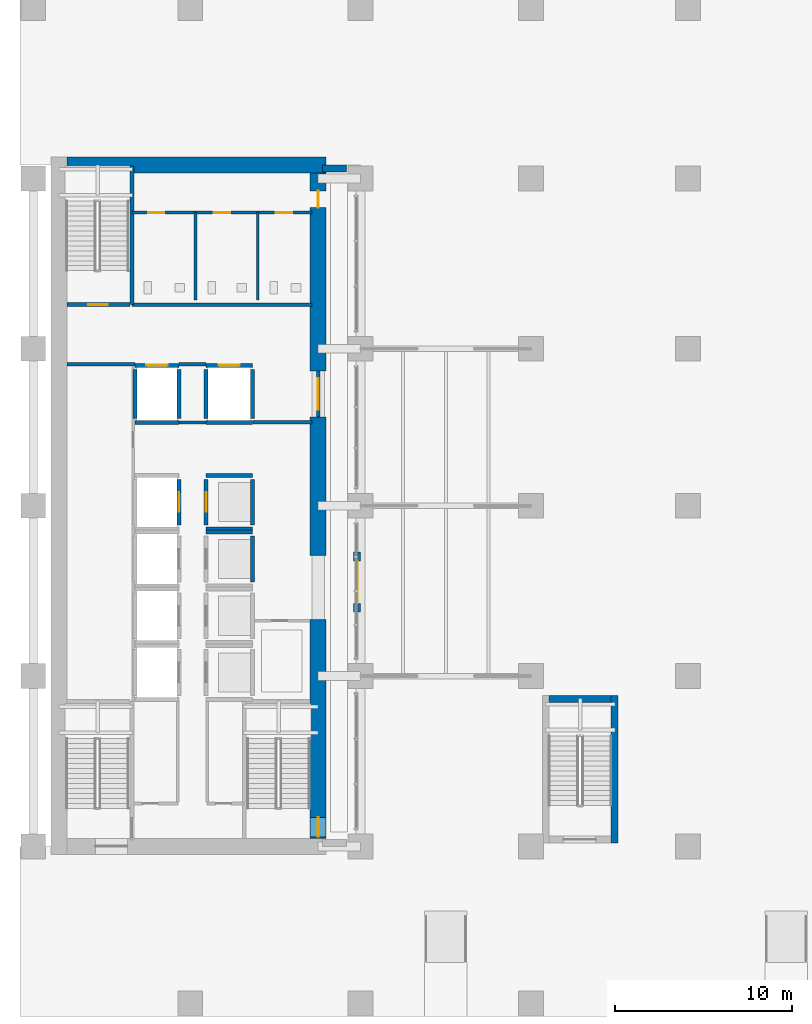
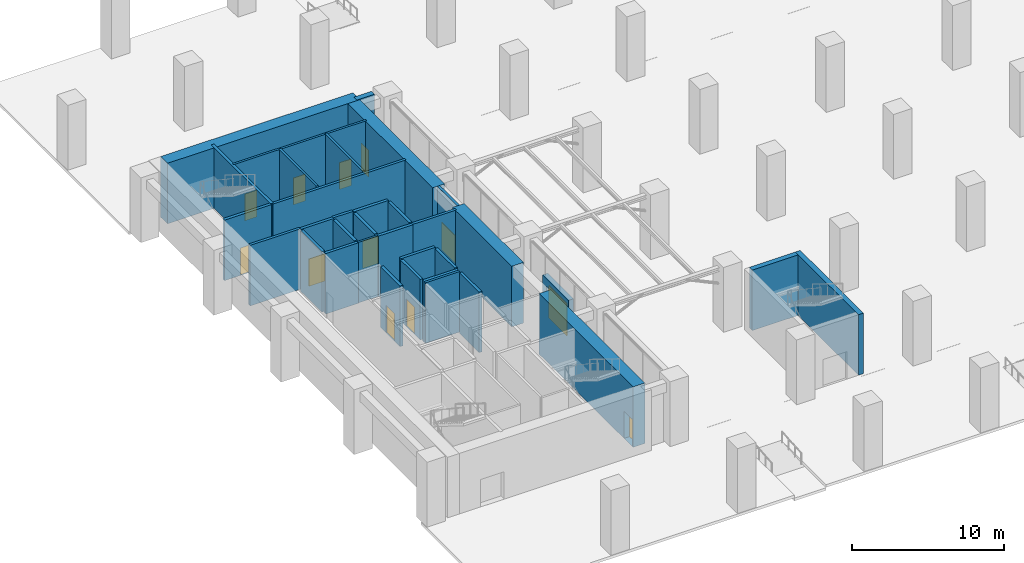
# One storey, part 5 of 24: 34 walls, 12 doors, 12 openings.
"""IFC4 building model written with IfcOpenShell, lengths in metres."""

from ifc_helpers import new_model, si_unit, direction, frame, frame_2d, origin, place, context, subcontext, project, spatial, rectangle, extrude, material, layer, layer_set, type_object, element, fill, save


model = new_model("IFC4")

# Units and contexts
model_context = context("Model", 3, precision=1e-05, world=origin(), true_north=direction((0.0, 1.0)))
body_context = subcontext(model_context, "Body", "Model", "MODEL_VIEW")
ifc_project = project(units=[si_unit("LENGTHUNIT", "METRE"), si_unit("AREAUNIT", "SQUARE_METRE"), si_unit("VOLUMEUNIT", "CUBIC_METRE"), si_unit("PLANEANGLEUNIT", "RADIAN"), si_unit("MASSUNIT", "GRAM", prefix="KILO")], contexts=[model_context])

# Site, building, storey
site_placement = place(None, origin())
site = spatial("IfcSite", under=ifc_project, at=site_placement, CompositionType="ELEMENT")
building_placement = place(site_placement, origin())
building = spatial("IfcBuilding", under=site, at=building_placement, Name="Norrvale University Quadrangle", CompositionType="ELEMENT")
storey_placement = place(building_placement, origin())
storey = spatial("IfcBuildingStorey", under=building, at=storey_placement, Name="L00", CompositionType="ELEMENT", Elevation=0.0)

# Wall
ifc_material_1 = material(Name="Concrete C80/95", Category="concrete")
ifc_layer_1 = layer(ifc_material_1, 0.89990234375, Name="Concrete C80/95")
ifc_layer_set_1 = layer_set([ifc_layer_1], Name="Concrete C80/95")
wall_type_1 = type_object("IfcWallType", Name="Wall Core 900", PredefinedType="SHEAR", material=ifc_layer_set_1)
wall_1_placement = place(storey_placement, frame((2.64990234375, 48.0, 0.0), z_axis=(0.0, 0.0, 1.0), x_axis=(1.0, 0.0, 0.0)))
element("IfcWall", 1, at=wall_1_placement, inside=storey, type_object=wall_type_1, Name="Tower Core Shear Wall L00-N", PredefinedType="SHEAR", context=body_context, shape_type="SweptSolid", body=[
    extrude(rectangle(XDim=14.60009765625, YDim=0.89990234375, at=frame_2d((7.300048828125, 0.0))), origin(), (0.0, 0.0, 1.0), 4.860107421875),
])

# Wall, opening, door
wall_2_placement = place(storey_placement, frame((16.800048828125, 10.050048828125, 0.0), z_axis=(0.0, 0.0, 1.0), x_axis=(0.0, 1.0, 0.0)))
wall_2 = element("IfcWall", 2, at=wall_2_placement, inside=storey, type_object=wall_type_1, Name="Tower Core Shear Wall L00-E1", PredefinedType="SHEAR", context=body_context, shape_type="SweptSolid", body=[
    extrude(rectangle(XDim=12.349853515625, YDim=0.89990234375, at=frame_2d((6.1748046875, 0.0))), origin(), (0.0, 0.0, 1.0), 4.860107421875),
])
opening_1_placement = place(wall_2_placement, frame((0.090087890625, 0.0, 0.0)))
opening_1 = element("IfcOpeningElement", 3, at=opening_1_placement, cuts=wall_2, Name="Opening D02", PredefinedType="OPENING", context=body_context, shape_type="SweptSolid", body=[
    extrude(rectangle(XDim=1.10009765625, YDim=2.199951171875, at=frame_2d((0.550048828125, 1.10009765625))), frame((0.0, 0.4619140625, 0.0), z_axis=(0.0, -1.0, 0.0), x_axis=(1.0, 0.0, 0.0)), (0.0, 0.0, 1.0), 0.923828125),
])
ifc_material_2 = material(Name="Hollow Steel 350W Fire Door", Category="steel")
door_type_1 = type_object("IfcDoorType", Name="Door Stair Exit 1100x2200", OperationType="NOTDEFINED", PredefinedType="DOOR", material=ifc_material_2)
door_1_placement = place(opening_1_placement, frame((1.10009765625, 0.0, 0.0), z_axis=(0.0, 0.0, 1.0), x_axis=(-1.0, 0.0, 0.0)))
door_1 = element("IfcDoor", 4, at=door_1_placement, inside=storey, type_object=door_type_1, Name="Door Stair Exit 1100x2200 DR-L00-ST03", OperationType="SINGLE_SWING_LEFT", OverallHeight=2.199951171875, OverallWidth=1.10009765625, PredefinedType="DOOR", context=body_context, shape_type="SweptSolid", body=[
    extrude(rectangle(XDim=1.10009765625, YDim=2.199951171875, at=frame_2d((0.550048828125, 1.10009765625))), frame((0.0, 0.02490234375, 0.0), z_axis=(0.0, -1.0, 0.0), x_axis=(1.0, 0.0, 0.0)), (0.0, 0.0, 1.0), 0.050048828125),
])
fill(opening_1, door_1)

# Wall
wall_3_placement = place(storey_placement, frame((16.800048828125, 26.0, 0.0), z_axis=(0.0, 0.0, 1.0), x_axis=(0.0, 1.0, 0.0)))
element("IfcWall", 5, at=wall_3_placement, inside=storey, type_object=wall_type_1, Name="Tower Core Shear Wall L00-E2", PredefinedType="SHEAR", context=body_context, shape_type="SweptSolid", body=[
    extrude(rectangle(XDim=7.800048828125, YDim=0.89990234375, at=frame_2d((3.89990234375, 0.0))), origin(), (0.0, 0.0, 1.0), 4.860107421875),
])

# Wall, opening, door
wall_4_placement = place(storey_placement, frame((16.800048828125, 36.39990234375, 0.0), z_axis=(0.0, 0.0, 1.0), x_axis=(0.0, 1.0, 0.0)))
wall_4 = element("IfcWall", 6, at=wall_4_placement, inside=storey, type_object=wall_type_1, Name="Tower Core Shear Wall L00-E3", PredefinedType="SHEAR", context=body_context, shape_type="SweptSolid", body=[
    extrude(rectangle(XDim=11.150146484375, YDim=0.89990234375, at=frame_2d((5.5751953125, 0.0))), origin(), (0.0, 0.0, 1.0), 4.860107421875),
])
opening_2_placement = place(wall_4_placement, frame((9.199951171875, 0.0, 0.0)))
opening_2 = element("IfcOpeningElement", 7, at=opening_2_placement, cuts=wall_4, Name="Opening D07", PredefinedType="OPENING", context=body_context, shape_type="SweptSolid", body=[
    extrude(rectangle(XDim=0.949951171875, YDim=2.14990234375, at=frame_2d((0.47509765625, 1.074951171875))), frame((0.0, 0.4619140625, 0.0), z_axis=(0.0, -1.0, 0.0), x_axis=(1.0, 0.0, 0.0)), (0.0, 0.0, 1.0), 0.923828125),
])
ifc_material_3 = material(Name="Solid-Core Maple Door", Category="wood")
door_type_2 = type_object("IfcDoorType", Name="Door Office 950x2150", OperationType="NOTDEFINED", PredefinedType="DOOR", material=ifc_material_3)
door_2_placement = place(opening_2_placement, origin())
door_2 = element("IfcDoor", 8, at=door_2_placement, inside=storey, type_object=door_type_2, Name="Door Office 950x2150 DR-L00-NECORR", OperationType="SINGLE_SWING_LEFT", OverallHeight=2.14990234375, OverallWidth=0.949951171875, PredefinedType="DOOR", context=body_context, shape_type="SweptSolid", body=[
    extrude(rectangle(XDim=0.949951171875, YDim=2.14990234375, at=frame_2d((0.47509765625, 1.074951171875))), frame((0.0, 0.02490234375, 0.0), z_axis=(0.0, -1.0, 0.0), x_axis=(1.0, 0.0, 0.0)), (0.0, 0.0, 1.0), 0.050048828125),
])
fill(opening_2, door_2)

# Wall
ifc_material_4 = material(Name="Fire-Rated Gypsum Stud Partition")
ifc_layer_2 = layer(ifc_material_4, 0.14990234375, Name="Fire-Rated Gypsum Stud Partition")
ifc_layer_set_2 = layer_set([ifc_layer_2], Name="Fire-Rated Gypsum Stud Partition")
wall_type_2 = type_object("IfcWallType", Name="Wall Gypsum Corridor 150", PredefinedType="PARTITIONING", material=ifc_layer_set_2)
wall_5_placement = place(storey_placement, frame((8.965087890625, 33.489990234375, 0.0), z_axis=(0.0, 0.0, 1.0), x_axis=(1.0, 0.0, 0.0)))
element("IfcWall", 9, at=wall_5_placement, inside=storey, type_object=wall_type_2, Name="Interior Partition WL-L00-LL3", PredefinedType="PARTITIONING", context=body_context, shape_type="SweptSolid", body=[
    extrude(rectangle(XDim=1.52001953125, YDim=0.14990234375, at=frame_2d((0.760009765625, 0.0))), origin(), (0.0, 0.0, 1.0), 4.860107421875),
])

# Wall, openings, doors
ifc_material_5 = material(Name="Sanitary Chase Gypsum Partition")
ifc_layer_3 = layer(ifc_material_5, 0.1650390625, Name="Sanitary Chase Gypsum Partition")
ifc_layer_set_3 = layer_set([ifc_layer_3], Name="Sanitary Chase Gypsum Partition")
wall_type_3 = type_object("IfcWallType", Name="Wall Gypsum Sanitary 165", PredefinedType="PLUMBINGWALL", material=ifc_layer_set_3)
wall_6_placement = place(storey_placement, frame((6.320068359375, 45.320068359375, 0.0), z_axis=(0.0, 0.0, 1.0), x_axis=(1.0, 0.0, 0.0)))
wall_6 = element("IfcWall", 10, at=wall_6_placement, inside=storey, type_object=wall_type_3, Name="Interior Partition WL-L00-WCN", PredefinedType="PLUMBINGWALL", context=body_context, shape_type="SweptSolid", body=[
    extrude(rectangle(XDim=10.1298828125, YDim=0.1650390625, at=frame_2d((5.06494140625, 0.0))), origin(), (0.0, 0.0, 1.0), 4.860107421875),
])
opening_3_placement = place(wall_6_placement, frame((0.89990234375, 0.0, 0.0)))
opening_3 = element("IfcOpeningElement", 11, at=opening_3_placement, cuts=wall_6, Name="Opening D08", PredefinedType="OPENING", context=body_context, shape_type="SweptSolid", body=[
    extrude(rectangle(XDim=0.919921875, YDim=2.14990234375, at=frame_2d((0.4599609375, 1.074951171875))), frame((0.0, 0.094482421875, 0.0), z_axis=(0.0, -1.0, 0.0), x_axis=(1.0, 0.0, 0.0)), (0.0, 0.0, 1.0), 0.18896484375),
])
opening_4_placement = place(wall_6_placement, frame((4.60009765625, 0.0, 0.0)))
opening_4 = element("IfcOpeningElement", 12, at=opening_4_placement, cuts=wall_6, Name="Opening D08", PredefinedType="OPENING", context=body_context, shape_type="SweptSolid", body=[
    extrude(rectangle(XDim=0.919921875, YDim=2.14990234375, at=frame_2d((0.4599609375, 1.074951171875))), frame((0.0, 0.094482421875, 0.0), z_axis=(0.0, -1.0, 0.0), x_axis=(1.0, 0.0, 0.0)), (0.0, 0.0, 1.0), 0.18896484375),
])
opening_5_placement = place(wall_6_placement, frame((8.10009765625, 0.0, 0.0)))
opening_5 = element("IfcOpeningElement", 13, at=opening_5_placement, cuts=wall_6, Name="Opening D08", PredefinedType="OPENING", context=body_context, shape_type="SweptSolid", body=[
    extrude(rectangle(XDim=0.919921875, YDim=2.14990234375, at=frame_2d((0.4599609375, 1.074951171875))), frame((0.0, 0.094482421875, 0.0), z_axis=(0.0, -1.0, 0.0), x_axis=(1.0, 0.0, 0.0)), (0.0, 0.0, 1.0), 0.18896484375),
])
ifc_material_6 = material(Name="Laminate Washroom Door", Category="wood")
door_type_3 = type_object("IfcDoorType", Name="Door Washroom 920x2150", OperationType="NOTDEFINED", PredefinedType="DOOR", material=ifc_material_6)
door_3_placement = place(opening_3_placement, origin())
door_3 = element("IfcDoor", 14, at=door_3_placement, inside=storey, type_object=door_type_3, Name="Door Washroom 920x2150 DR-L00-WC1", OperationType="SINGLE_SWING_LEFT", OverallHeight=2.14990234375, OverallWidth=0.919921875, PredefinedType="DOOR", context=body_context, shape_type="SweptSolid", body=[
    extrude(rectangle(XDim=0.919921875, YDim=2.14990234375, at=frame_2d((0.4599609375, 1.074951171875))), frame((0.0, 0.02490234375, 0.0), z_axis=(0.0, -1.0, 0.0), x_axis=(1.0, 0.0, 0.0)), (0.0, 0.0, 1.0), 0.050048828125),
])
fill(opening_3, door_3)
door_4_placement = place(opening_4_placement, origin())
door_4 = element("IfcDoor", 15, at=door_4_placement, inside=storey, type_object=door_type_3, Name="Door Washroom 920x2150 DR-L00-WC2", OperationType="SINGLE_SWING_RIGHT", OverallHeight=2.14990234375, OverallWidth=0.919921875, PredefinedType="DOOR", context=body_context, shape_type="SweptSolid", body=[
    extrude(rectangle(XDim=0.919921875, YDim=2.14990234375, at=frame_2d((0.4599609375, 1.074951171875))), frame((0.0, 0.02490234375, 0.0), z_axis=(0.0, -1.0, 0.0), x_axis=(1.0, 0.0, 0.0)), (0.0, 0.0, 1.0), 0.050048828125),
])
fill(opening_4, door_4)
door_5_placement = place(opening_5_placement, origin())
door_5 = element("IfcDoor", 16, at=door_5_placement, inside=storey, type_object=door_type_3, Name="Door Washroom 920x2150 DR-L00-WC3", OperationType="SINGLE_SWING_LEFT", OverallHeight=2.14990234375, OverallWidth=0.919921875, PredefinedType="DOOR", context=body_context, shape_type="SweptSolid", body=[
    extrude(rectangle(XDim=0.919921875, YDim=2.14990234375, at=frame_2d((0.4599609375, 1.074951171875))), frame((0.0, 0.02490234375, 0.0), z_axis=(0.0, -1.0, 0.0), x_axis=(1.0, 0.0, 0.0)), (0.0, 0.0, 1.0), 0.050048828125),
])
fill(opening_5, door_5)

# Walls
for number, where, z_axis, x_axis, name in (
    (17, (9.89990234375, 40.39990234375, 0.0), (0.0, 0.0, 1.0), (0.0, 1.0, 0.0), "Interior Partition WL-L00-WCM1"),
    (18, (13.39990234375, 40.39990234375, 0.0), (0.0, 0.0, 1.0), (0.0, 1.0, 0.0), "Interior Partition WL-L00-WCM2"),
):
    element("IfcWall", number, at=place(storey_placement, frame(where, z_axis=z_axis, x_axis=x_axis)), inside=storey, type_object=wall_type_3, Name=name, PredefinedType="PLUMBINGWALL", context=body_context, shape_type="SweptSolid", body=[
        extrude(rectangle(XDim=4.920166015625, YDim=0.1650390625, at=frame_2d((2.4599609375, 0.0))), origin(), (0.0, 0.0, 1.0), 4.860107421875),
    ])
ifc_material_7 = material(Name="Buff Norman Clay Brick Masonry", Category="masonry")
ifc_layer_4 = layer(ifc_material_7, 0.3798828125, Name="Buff Norman Clay Brick Masonry")
ifc_layer_set_4 = layer_set([ifc_layer_4], Name="Buff Norman Clay Brick Masonry")
wall_type_4 = type_object("IfcWallType", Name="Wall Lib Brick 380", PredefinedType="SOLIDWALL", material=ifc_layer_set_4)
wall_7_placement = place(storey_placement, frame((33.510009765625, 9.800048828125, 0.0), z_axis=(0.0, 0.0, 1.0), x_axis=(0.0, 1.0, 0.0)))
element("IfcWall", 19, at=wall_7_placement, inside=storey, type_object=wall_type_4, Name="Stair ST-04 East Shaft Wall L00", PredefinedType="SOLIDWALL", context=body_context, shape_type="SweptSolid", body=[
    extrude(rectangle(XDim=8.300048828125, YDim=0.3798828125, at=frame_2d((4.14990234375, 0.0))), origin(), (0.0, 0.0, 1.0), 4.860107421875),
])
wall_8_placement = place(storey_placement, frame((29.830078125, 17.909912109375, 0.0), z_axis=(0.0, 0.0, 1.0), x_axis=(1.0, 0.0, 0.0)))
element("IfcWall", 20, at=wall_8_placement, inside=storey, type_object=wall_type_4, Name="Stair ST-04 North Shaft Wall L00", PredefinedType="SOLIDWALL", context=body_context, shape_type="SweptSolid", body=[
    extrude(rectangle(XDim=3.489990234375, YDim=0.3798828125, at=frame_2d((1.7451171875, 0.0))), origin(), (0.0, 0.0, 1.0), 4.860107421875),
])
ifc_material_8 = material(Name="Concrete Blockwork 20 MPa Rated Wall", Category="masonry")
ifc_layer_5 = layer(ifc_material_8, 0.199951171875, Name="Concrete Blockwork 20 MPa Rated Wall")
ifc_layer_set_5 = layer_set([ifc_layer_5], Name="Concrete Blockwork 20 MPa Rated Wall")
wall_type_5 = type_object("IfcWallType", Name="Wall Lobby 200", PredefinedType="SOLIDWALL", material=ifc_layer_set_5)
wall_9_placement = place(storey_placement, frame((2.64990234375, 36.780029296875, 0.0), z_axis=(0.0, 0.0, 1.0), x_axis=(1.0, 0.0, 0.0)))
element("IfcWall", 21, at=wall_9_placement, inside=storey, type_object=wall_type_5, Name="Interior Partition WL-L00-FF1", PredefinedType="SOLIDWALL", context=body_context, shape_type="SweptSolid", body=[
    extrude(rectangle(XDim=3.830078125, YDim=0.199951171875, at=frame_2d((1.9150390625, 0.0))), origin(), (0.0, 0.0, 1.0), 4.860107421875),
])
wall_10_placement = place(storey_placement, frame((8.969970703125, 36.780029296875, 0.0), z_axis=(0.0, 0.0, 1.0), x_axis=(1.0, 0.0, 0.0)))
element("IfcWall", 22, at=wall_10_placement, inside=storey, type_object=wall_type_5, Name="Interior Partition WL-L00-FF2", PredefinedType="SOLIDWALL", context=body_context, shape_type="SweptSolid", body=[
    extrude(rectangle(XDim=1.510009765625, YDim=0.199951171875, at=frame_2d((0.7548828125, 0.0))), origin(), (0.0, 0.0, 1.0), 4.860107421875),
])
wall_11_placement = place(storey_placement, frame((13.1201171875, 33.52001953125, 0.0), z_axis=(0.0, 0.0, 1.0), x_axis=(1.0, 0.0, 0.0)))
element("IfcWall", 23, at=wall_11_placement, inside=storey, type_object=wall_type_5, Name="Interior Partition WL-L00-FF3", PredefinedType="SOLIDWALL", context=body_context, shape_type="SweptSolid", body=[
    extrude(rectangle(XDim=3.329833984375, YDim=0.199951171875, at=frame_2d((1.6650390625, 0.0))), origin(), (0.0, 0.0, 1.0), 4.860107421875),
])
wall_12_placement = place(storey_placement, frame((6.320068359375, 40.139892578125, 0.0), z_axis=(0.0, 0.0, 1.0), x_axis=(1.0, 0.0, 0.0)))
element("IfcWall", 24, at=wall_12_placement, inside=storey, type_object=wall_type_5, Name="Interior Partition WL-L00-FF4", PredefinedType="SOLIDWALL", context=body_context, shape_type="SweptSolid", body=[
    extrude(rectangle(XDim=10.1298828125, YDim=0.199951171875, at=frame_2d((5.06494140625, 0.0))), origin(), (0.0, 0.0, 1.0), 4.860107421875),
])

# Wall, opening, door
wall_13_placement = place(storey_placement, frame((16.800048828125, 33.800048828125, 0.0), z_axis=(0.0, 0.0, 1.0), x_axis=(0.0, 1.0, 0.0)))
wall_13 = element("IfcWall", 25, at=wall_13_placement, inside=storey, type_object=wall_type_5, Name="Interior Partition WL-L00-FFP", PredefinedType="SOLIDWALL", context=body_context, shape_type="SweptSolid", body=[
    extrude(rectangle(XDim=2.599853515625, YDim=0.199951171875, at=frame_2d((1.2998046875, 0.0))), origin(), (0.0, 0.0, 1.0), 4.860107421875),
])
opening_6_placement = place(wall_13_placement, frame((0.39990234375, 0.0, 0.0)))
opening_6 = element("IfcOpeningElement", 26, at=opening_6_placement, cuts=wall_13, Name="Opening D03", PredefinedType="OPENING", context=body_context, shape_type="SweptSolid", body=[
    extrude(rectangle(XDim=1.800048828125, YDim=2.199951171875, at=frame_2d((0.89990234375, 1.10009765625))), frame((0.0, 0.112060546875, 0.0), z_axis=(0.0, -1.0, 0.0), x_axis=(1.0, 0.0, 0.0)), (0.0, 0.0, 1.0), 0.223876953125),
])
door_type_4 = type_object("IfcDoorType", Name="Door Fire Lobby 1800x2200", OperationType="DOUBLE_DOOR_SINGLE_SWING", PredefinedType="DOOR", material=ifc_material_2)
door_6_placement = place(opening_6_placement, frame((1.800048828125, 0.0, 0.0), z_axis=(0.0, 0.0, 1.0), x_axis=(-1.0, 0.0, 0.0)))
door_6 = element("IfcDoor", 27, at=door_6_placement, inside=storey, type_object=door_type_4, Name="Door Fire Lobby 1800x2200 DR-L00-FFP", OperationType="DOUBLE_DOOR_SINGLE_SWING", OverallHeight=2.199951171875, OverallWidth=1.800048828125, PredefinedType="DOOR", context=body_context, shape_type="SweptSolid", body=[
    extrude(rectangle(XDim=1.800048828125, YDim=2.199951171875, at=frame_2d((0.89990234375, 1.10009765625))), frame((0.0, 0.02490234375, 0.0), z_axis=(0.0, -1.0, 0.0), x_axis=(1.0, 0.0, 0.0)), (0.0, 0.0, 1.0), 0.050048828125),
])
fill(opening_6, door_6)

# Wall
ifc_material_9 = material(Name="Red Manganese Brick Masonry", Category="masonry")
ifc_layer_6 = layer(ifc_material_9, 0.39990234375, Name="Red Manganese Brick Masonry")
ifc_layer_set_6 = layer_set([ifc_layer_6], Name="Red Manganese Brick Masonry")
wall_type_6 = type_object("IfcWallType", Name="Wall Red Brick 400", PredefinedType="SOLIDWALL", material=ifc_layer_set_6)
wall_14_placement = place(storey_placement, frame((17.050048828125, 47.800048828125, 0.0), z_axis=(0.0, 0.0, 1.0), x_axis=(1.0, 0.0, 0.0)))
element("IfcWall", 28, at=wall_14_placement, inside=storey, type_object=wall_type_6, Name="Pilotis Lobby North End Wall L00", PredefinedType="SOLIDWALL", context=body_context, shape_type="SweptSolid", body=[
    extrude(rectangle(XDim=1.349853515625, YDim=0.39990234375, at=frame_2d((0.6748046875, 0.0))), origin(), (0.0, 0.0, 1.0), 4.860107421875),
])

# Wall, opening, door
wall_15_placement = place(storey_placement, frame((19.0, 22.800048828125, 0.0), z_axis=(0.0, 0.0, 1.0), x_axis=(0.0, 1.0, 0.0)))
wall_15 = element("IfcWall", 29, at=wall_15_placement, inside=storey, type_object=wall_type_6, Name="Quadrangle Main Entrance Portal", PredefinedType="SOLIDWALL", context=body_context, shape_type="SweptSolid", body=[
    extrude(rectangle(XDim=3.39990234375, YDim=0.39990234375, at=frame_2d((1.699951171875, 0.0))), origin(), (0.0, 0.0, 1.0), 3.199951171875),
])
opening_7_placement = place(wall_15_placement, frame((0.5, 0.0, 0.0)))
opening_7 = element("IfcOpeningElement", 30, at=opening_7_placement, cuts=wall_15, Name="Opening D01", PredefinedType="OPENING", context=body_context, shape_type="SweptSolid", body=[
    extrude(rectangle(XDim=2.39990234375, YDim=2.60009765625, at=frame_2d((1.199951171875, 1.300048828125))), frame((0.0, 0.2119140625, 0.0), z_axis=(0.0, -1.0, 0.0), x_axis=(1.0, 0.0, 0.0)), (0.0, 0.0, 1.0), 0.423828125),
])
ifc_material_10 = material(Name="Anodized Aluminium Glazed Door", Category="aluminium")
door_type_5 = type_object("IfcDoorType", Name="Door Main Entry 2400x2600", OperationType="DOUBLE_SWING_LEFT", PredefinedType="DOOR", material=ifc_material_10)
door_7_placement = place(opening_7_placement, frame((2.39990234375, 0.0, 0.0), z_axis=(0.0, 0.0, 1.0), x_axis=(-1.0, 0.0, 0.0)))
door_7 = element("IfcDoor", 31, at=door_7_placement, inside=storey, type_object=door_type_5, Name="Door Main Entry 2400x2600 DR-L00-MAIN", OperationType="DOUBLE_SWING_LEFT", OverallHeight=2.60009765625, OverallWidth=2.39990234375, PredefinedType="DOOR", context=body_context, shape_type="SweptSolid", body=[
    extrude(rectangle(XDim=2.39990234375, YDim=2.60009765625, at=frame_2d((1.199951171875, 1.300048828125))), frame((0.0, 0.02490234375, 0.0), z_axis=(0.0, -1.0, 0.0), x_axis=(1.0, 0.0, 0.0)), (0.0, 0.0, 1.0), 0.050048828125),
])
fill(opening_7, door_7)

ifc_material_11 = material(Name="Concrete Blockwork 20 MPa Fire Shaft", Category="masonry")
ifc_layer_7 = layer(ifc_material_11, 0.219970703125, Name="Concrete Blockwork 20 MPa Fire Shaft")
ifc_layer_set_7 = layer_set([ifc_layer_7], Name="Concrete Blockwork 20 MPa Fire Shaft")
wall_type_7 = type_object("IfcWallType", Name="Wall Shaft 220", PredefinedType="SOLIDWALL", material=ifc_layer_set_7)
wall_16_placement = place(storey_placement, frame((2.64990234375, 40.139892578125, 0.0), z_axis=(0.0, 0.0, 1.0), x_axis=(1.0, 0.0, 0.0)))
wall_16 = element("IfcWall", 32, at=wall_16_placement, inside=storey, type_object=wall_type_7, Name="Stair ST-02 South Shaft Wall L00", PredefinedType="SOLIDWALL", context=body_context, shape_type="SweptSolid", body=[
    extrude(rectangle(XDim=3.550048828125, YDim=0.219970703125, at=frame_2d((1.77490234375, 0.0))), origin(), (0.0, 0.0, 1.0), 4.860107421875),
])
opening_8_placement = place(wall_16_placement, frame((1.199951171875, 0.0, 0.0)))
opening_8 = element("IfcOpeningElement", 33, at=opening_8_placement, cuts=wall_16, Name="Opening D02", PredefinedType="OPENING", context=body_context, shape_type="SweptSolid", body=[
    extrude(rectangle(XDim=1.10009765625, YDim=2.199951171875, at=frame_2d((0.550048828125, 1.10009765625))), frame((0.0, 0.1220703125, 0.0), z_axis=(0.0, -1.0, 0.0), x_axis=(1.0, 0.0, 0.0)), (0.0, 0.0, 1.0), 0.243896484375),
])
door_8_placement = place(opening_8_placement, frame((1.10009765625, 0.0, 0.0), z_axis=(0.0, 0.0, 1.0), x_axis=(-1.0, 0.0, 0.0)))
door_8 = element("IfcDoor", 34, at=door_8_placement, inside=storey, type_object=door_type_1, Name="Door Stair Exit 1100x2200 DR-L00-ST02", OperationType="SINGLE_SWING_LEFT", OverallHeight=2.199951171875, OverallWidth=1.10009765625, PredefinedType="DOOR", context=body_context, shape_type="SweptSolid", body=[
    extrude(rectangle(XDim=1.10009765625, YDim=2.199951171875, at=frame_2d((0.550048828125, 1.10009765625))), frame((0.0, 0.02490234375, 0.0), z_axis=(0.0, -1.0, 0.0), x_axis=(1.0, 0.0, 0.0)), (0.0, 0.0, 1.0), 0.050048828125),
])
fill(opening_8, door_8)

# Wall
wall_17_placement = place(storey_placement, frame((6.31005859375, 40.139892578125, 0.0), z_axis=(0.0, 0.0, 1.0), x_axis=(0.0, 1.0, 0.0)))
element("IfcWall", 35, at=wall_17_placement, inside=storey, type_object=wall_type_7, Name="Stair ST-02 East Shaft Wall L00", PredefinedType="SOLIDWALL", context=body_context, shape_type="SweptSolid", body=[
    extrude(rectangle(XDim=7.81005859375, YDim=0.219970703125, at=frame_2d((3.905029296875, 0.0))), origin(), (0.0, 0.0, 1.0), 4.860107421875),
])

# Wall, opening, door
wall_18_placement = place(storey_placement, frame((8.9599609375, 27.7099609375, 0.0), z_axis=(0.0, 0.0, 1.0), x_axis=(0.0, 1.0, 0.0)))
wall_18 = element("IfcWall", 36, at=wall_18_placement, inside=storey, type_object=wall_type_7, Name="Hoistway PL-04 East Wall L00", PredefinedType="SOLIDWALL", context=body_context, shape_type="SweptSolid", body=[
    extrude(rectangle(XDim=2.580078125, YDim=0.219970703125, at=frame_2d((1.2900390625, 0.0))), origin(), (0.0, 0.0, 1.0), 4.860107421875),
])
opening_9_placement = place(wall_18_placement, frame((0.739990234375, 0.0, 0.0)))
opening_9 = element("IfcOpeningElement", 37, at=opening_9_placement, cuts=wall_18, Name="Opening LD1", PredefinedType="OPENING", context=body_context, shape_type="SweptSolid", body=[
    extrude(rectangle(XDim=1.10009765625, YDim=2.199951171875, at=frame_2d((0.550048828125, 1.10009765625))), frame((0.0, 0.1220703125, 0.0), z_axis=(0.0, -1.0, 0.0), x_axis=(1.0, 0.0, 0.0)), (0.0, 0.0, 1.0), 0.243896484375),
])
ifc_material_12 = material(Name="Stainless Steel 316L Lift Landing Door", Category="steel")
door_type_6 = type_object("IfcDoorType", Name="Door Lift Landing 1100x2200", OperationType="DOUBLE_DOOR_SLIDING", PredefinedType="DOOR", material=ifc_material_12)
door_9_placement = place(opening_9_placement, origin())
door_9 = element("IfcDoor", 38, at=door_9_placement, inside=storey, type_object=door_type_6, Name="Elevator Landing Door DR-L00-PL-04", OperationType="DOUBLE_DOOR_SLIDING", OverallHeight=2.199951171875, OverallWidth=1.10009765625, PredefinedType="DOOR", context=body_context, shape_type="SweptSolid", body=[
    extrude(rectangle(XDim=1.10009765625, YDim=2.199951171875, at=frame_2d((0.550048828125, 1.10009765625))), frame((0.0, 0.02490234375, 0.0), z_axis=(0.0, -1.0, 0.0), x_axis=(1.0, 0.0, 0.0)), (0.0, 0.0, 1.0), 0.050048828125),
])
fill(opening_9, door_9)

# Walls
wall_19_placement = place(storey_placement, frame((13.110107421875, 24.510009765625, 0.0), z_axis=(0.0, 0.0, 1.0), x_axis=(0.0, 1.0, 0.0)))
element("IfcWall", 39, at=wall_19_placement, inside=storey, type_object=wall_type_7, Name="Hoistway PL-07 East Wall L00", PredefinedType="SOLIDWALL", context=body_context, shape_type="SweptSolid", body=[
    extrude(rectangle(XDim=2.580078125, YDim=0.219970703125, at=frame_2d((1.2900390625, 0.0))), origin(), (0.0, 0.0, 1.0), 4.860107421875),
])
wall_20_placement = place(storey_placement, frame((10.489990234375, 27.31005859375, 0.0), z_axis=(0.0, 0.0, 1.0), x_axis=(1.0, 0.0, 0.0)))
element("IfcWall", 40, at=wall_20_placement, inside=storey, type_object=wall_type_7, Name="Hoistway PL-07 North Wall L00", PredefinedType="SOLIDWALL", context=body_context, shape_type="SweptSolid", body=[
    extrude(rectangle(XDim=2.6201171875, YDim=0.219970703125, at=frame_2d((1.31005859375, 0.0))), origin(), (0.0, 0.0, 1.0), 4.860107421875),
])

# Wall, opening, door
wall_21_placement = place(storey_placement, frame((10.489990234375, 27.7099609375, 0.0), z_axis=(0.0, 0.0, 1.0), x_axis=(0.0, 1.0, 0.0)))
wall_21 = element("IfcWall", 41, at=wall_21_placement, inside=storey, type_object=wall_type_7, Name="Hoistway PL-08 West Wall L00", PredefinedType="SOLIDWALL", context=body_context, shape_type="SweptSolid", body=[
    extrude(rectangle(XDim=2.580078125, YDim=0.219970703125, at=frame_2d((1.2900390625, 0.0))), origin(), (0.0, 0.0, 1.0), 4.860107421875),
])
opening_10_placement = place(wall_21_placement, frame((0.739990234375, 0.0, 0.0)))
opening_10 = element("IfcOpeningElement", 42, at=opening_10_placement, cuts=wall_21, Name="Opening LD1", PredefinedType="OPENING", context=body_context, shape_type="SweptSolid", body=[
    extrude(rectangle(XDim=1.10009765625, YDim=2.199951171875, at=frame_2d((0.550048828125, 1.10009765625))), frame((0.0, 0.1220703125, 0.0), z_axis=(0.0, -1.0, 0.0), x_axis=(1.0, 0.0, 0.0)), (0.0, 0.0, 1.0), 0.243896484375),
])
door_10_placement = place(opening_10_placement, origin())
door_10 = element("IfcDoor", 43, at=door_10_placement, inside=storey, type_object=door_type_6, Name="Elevator Landing Door DR-L00-PL-08", OperationType="DOUBLE_DOOR_SLIDING", OverallHeight=2.199951171875, OverallWidth=1.10009765625, PredefinedType="DOOR", context=body_context, shape_type="SweptSolid", body=[
    extrude(rectangle(XDim=1.10009765625, YDim=2.199951171875, at=frame_2d((0.550048828125, 1.10009765625))), frame((0.0, 0.02490234375, 0.0), z_axis=(0.0, -1.0, 0.0), x_axis=(1.0, 0.0, 0.0)), (0.0, 0.0, 1.0), 0.050048828125),
])
fill(opening_10, door_10)

# Walls
wall_22_placement = place(storey_placement, frame((13.110107421875, 27.7099609375, 0.0), z_axis=(0.0, 0.0, 1.0), x_axis=(0.0, 1.0, 0.0)))
element("IfcWall", 44, at=wall_22_placement, inside=storey, type_object=wall_type_7, Name="Hoistway PL-08 East Wall L00", PredefinedType="SOLIDWALL", context=body_context, shape_type="SweptSolid", body=[
    extrude(rectangle(XDim=2.580078125, YDim=0.219970703125, at=frame_2d((1.2900390625, 0.0))), origin(), (0.0, 0.0, 1.0), 4.860107421875),
])
for number, where, z_axis, x_axis, name in (
    (45, (10.489990234375, 27.489990234375, 0.0), (0.0, 0.0, 1.0), (1.0, 0.0, 0.0), "Hoistway PL-08 South Wall L00"),
    (46, (10.489990234375, 30.510009765625, 0.0), (0.0, 0.0, 1.0), (1.0, 0.0, 0.0), "Hoistway PL-08 North Wall L00"),
):
    element("IfcWall", number, at=place(storey_placement, frame(where, z_axis=z_axis, x_axis=x_axis)), inside=storey, type_object=wall_type_7, Name=name, PredefinedType="SOLIDWALL", context=body_context, shape_type="SweptSolid", body=[
        extrude(rectangle(XDim=2.6201171875, YDim=0.219970703125, at=frame_2d((1.31005859375, 0.0))), origin(), (0.0, 0.0, 1.0), 4.860107421875),
    ])
for number, where, z_axis, x_axis, name in (
    (47, (6.489990234375, 33.7099609375, 0.0), (0.0, 0.0, 1.0), (0.0, 1.0, 0.0), "Hoistway FFL-01 West Wall L00"),
    (48, (8.9599609375, 33.7099609375, 0.0), (0.0, 0.0, 1.0), (0.0, 1.0, 0.0), "Hoistway FFL-01 East Wall L00"),
):
    element("IfcWall", number, at=place(storey_placement, frame(where, z_axis=z_axis, x_axis=x_axis)), inside=storey, type_object=wall_type_7, Name=name, PredefinedType="SOLIDWALL", context=body_context, shape_type="SweptSolid", body=[
        extrude(rectangle(XDim=2.780029296875, YDim=0.219970703125, at=frame_2d((1.39013671875, 0.0))), origin(), (0.0, 0.0, 1.0), 4.860107421875),
    ])
wall_23_placement = place(storey_placement, frame((6.489990234375, 33.489990234375, 0.0), z_axis=(0.0, 0.0, 1.0), x_axis=(1.0, 0.0, 0.0)))
element("IfcWall", 49, at=wall_23_placement, inside=storey, type_object=wall_type_7, Name="Hoistway FFL-01 South Wall L00", PredefinedType="SOLIDWALL", context=body_context, shape_type="SweptSolid", body=[
    extrude(rectangle(XDim=2.469970703125, YDim=0.219970703125, at=frame_2d((1.23486328125, 0.0))), origin(), (0.0, 0.0, 1.0), 4.860107421875),
])

# Wall, opening, door
wall_24_placement = place(storey_placement, frame((6.489990234375, 36.7099609375, 0.0), z_axis=(0.0, 0.0, 1.0), x_axis=(1.0, 0.0, 0.0)))
wall_24 = element("IfcWall", 50, at=wall_24_placement, inside=storey, type_object=wall_type_7, Name="Hoistway FFL-01 North Wall L00", PredefinedType="SOLIDWALL", context=body_context, shape_type="SweptSolid", body=[
    extrude(rectangle(XDim=2.469970703125, YDim=0.219970703125, at=frame_2d((1.23486328125, 0.0))), origin(), (0.0, 0.0, 1.0), 4.860107421875),
])
opening_11_placement = place(wall_24_placement, frame((0.635009765625, 0.0, 0.0)))
opening_11 = element("IfcOpeningElement", 51, at=opening_11_placement, cuts=wall_24, Name="Opening LD2", PredefinedType="OPENING", context=body_context, shape_type="SweptSolid", body=[
    extrude(rectangle(XDim=1.199951171875, YDim=2.199951171875, at=frame_2d((0.60009765625, 1.10009765625))), frame((0.0, 0.1220703125, 0.0), z_axis=(0.0, -1.0, 0.0), x_axis=(1.0, 0.0, 0.0)), (0.0, 0.0, 1.0), 0.243896484375),
])
ifc_material_13 = material(Name="Stainless Steel 316L Firefighter Lift Door", Category="steel")
door_type_7 = type_object("IfcDoorType", Name="Door Fire Lift 1200x2200", OperationType="DOUBLE_DOOR_SLIDING", PredefinedType="DOOR", material=ifc_material_13)
door_11_placement = place(opening_11_placement, origin())
door_11 = element("IfcDoor", 52, at=door_11_placement, inside=storey, type_object=door_type_7, Name="Elevator Landing Door DR-L00-FFL-01", OperationType="DOUBLE_DOOR_SLIDING", OverallHeight=2.199951171875, OverallWidth=1.199951171875, PredefinedType="DOOR", context=body_context, shape_type="SweptSolid", body=[
    extrude(rectangle(XDim=1.199951171875, YDim=2.199951171875, at=frame_2d((0.60009765625, 1.10009765625))), frame((0.0, 0.02490234375, 0.0), z_axis=(0.0, -1.0, 0.0), x_axis=(1.0, 0.0, 0.0)), (0.0, 0.0, 1.0), 0.050048828125),
])
fill(opening_11, door_11)

# Walls
for number, where, z_axis, x_axis, name in (
    (53, (10.489990234375, 33.7099609375, 0.0), (0.0, 0.0, 1.0), (0.0, 1.0, 0.0), "Hoistway FFL-02 West Wall L00"),
    (54, (13.110107421875, 33.7099609375, 0.0), (0.0, 0.0, 1.0), (0.0, 1.0, 0.0), "Hoistway FFL-02 East Wall L00"),
):
    element("IfcWall", number, at=place(storey_placement, frame(where, z_axis=z_axis, x_axis=x_axis)), inside=storey, type_object=wall_type_7, Name=name, PredefinedType="SOLIDWALL", context=body_context, shape_type="SweptSolid", body=[
        extrude(rectangle(XDim=2.780029296875, YDim=0.219970703125, at=frame_2d((1.39013671875, 0.0))), origin(), (0.0, 0.0, 1.0), 4.860107421875),
    ])
wall_25_placement = place(storey_placement, frame((10.489990234375, 33.489990234375, 0.0), z_axis=(0.0, 0.0, 1.0), x_axis=(1.0, 0.0, 0.0)))
element("IfcWall", 55, at=wall_25_placement, inside=storey, type_object=wall_type_7, Name="Hoistway FFL-02 South Wall L00", PredefinedType="SOLIDWALL", context=body_context, shape_type="SweptSolid", body=[
    extrude(rectangle(XDim=2.6201171875, YDim=0.219970703125, at=frame_2d((1.31005859375, 0.0))), origin(), (0.0, 0.0, 1.0), 4.860107421875),
])

# Wall, opening, door
wall_26_placement = place(storey_placement, frame((10.489990234375, 36.7099609375, 0.0), z_axis=(0.0, 0.0, 1.0), x_axis=(1.0, 0.0, 0.0)))
wall_26 = element("IfcWall", 56, at=wall_26_placement, inside=storey, type_object=wall_type_7, Name="Hoistway FFL-02 North Wall L00", PredefinedType="SOLIDWALL", context=body_context, shape_type="SweptSolid", body=[
    extrude(rectangle(XDim=2.6201171875, YDim=0.219970703125, at=frame_2d((1.31005859375, 0.0))), origin(), (0.0, 0.0, 1.0), 4.860107421875),
])
opening_12_placement = place(wall_26_placement, frame((0.7099609375, 0.0, 0.0)))
opening_12 = element("IfcOpeningElement", 57, at=opening_12_placement, cuts=wall_26, Name="Opening LD2", PredefinedType="OPENING", context=body_context, shape_type="SweptSolid", body=[
    extrude(rectangle(XDim=1.199951171875, YDim=2.199951171875, at=frame_2d((0.60009765625, 1.10009765625))), frame((0.0, 0.1220703125, 0.0), z_axis=(0.0, -1.0, 0.0), x_axis=(1.0, 0.0, 0.0)), (0.0, 0.0, 1.0), 0.243896484375),
])
door_12_placement = place(opening_12_placement, origin())
door_12 = element("IfcDoor", 58, at=door_12_placement, inside=storey, type_object=door_type_7, Name="Elevator Landing Door DR-L00-FFL-02", OperationType="DOUBLE_DOOR_SLIDING", OverallHeight=2.199951171875, OverallWidth=1.199951171875, PredefinedType="DOOR", context=body_context, shape_type="SweptSolid", body=[
    extrude(rectangle(XDim=1.199951171875, YDim=2.199951171875, at=frame_2d((0.60009765625, 1.10009765625))), frame((0.0, 0.02490234375, 0.0), z_axis=(0.0, -1.0, 0.0), x_axis=(1.0, 0.0, 0.0)), (0.0, 0.0, 1.0), 0.050048828125),
])
fill(opening_12, door_12)

save(model, "model.ifc")
